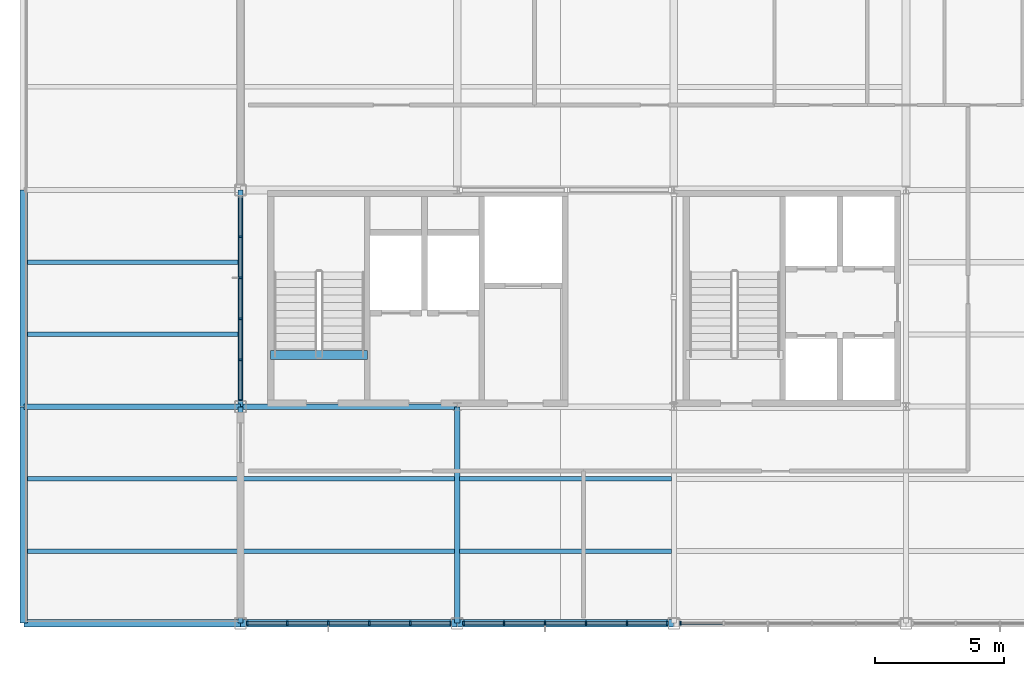
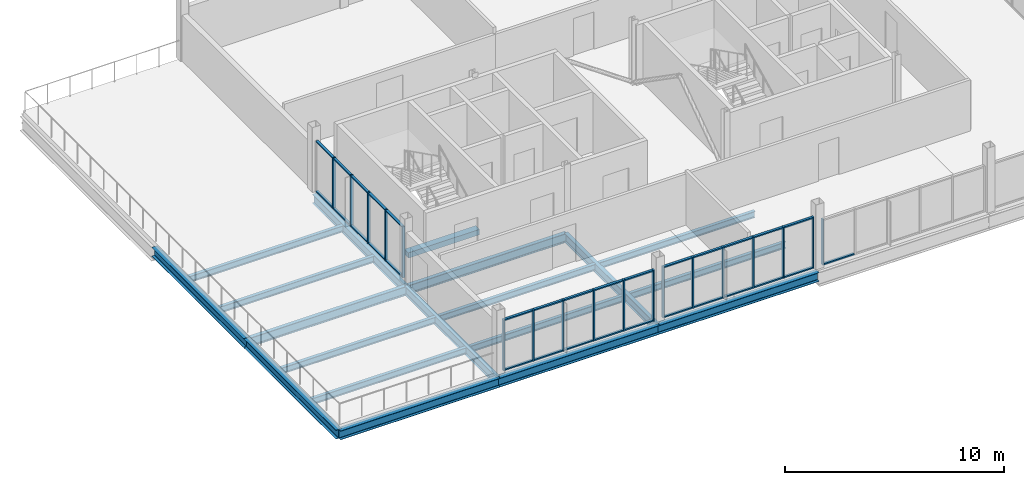
# One storey, part 3 of 14: 49 members, 19 beams, 4 elements without a shape of their own.
"""IFC4 building model written with IfcOpenShell, lengths in metres."""

import ifcopenshell
import ifcopenshell.guid

model = None  # the IFC model being written
_history = None  # IfcOwnerHistory: only IFC2X3 demands one
_inside = {}  # id of a spatial element -> (the spatial element, [elements in it])
_under = {}  # id of a project, library or spatial element -> (it, [spatial elements below it])
_declared = {}  # id of a project -> (the project, [libraries it declares])
_typed = {}  # id of a type object -> (the type object, [elements of that type])
_made_of = {}  # id of a material, layer set ... -> (it, [elements and type objects made of it])


def new_model(schema):
    """Start an empty IFC model of exactly this schema.

    Asked for "IFC4X3", IfcOpenShell would pick the latest addendum, in which some entities
    have other attributes; the version numbers below select the first issue.
    IFC2X3 requires an IfcOwnerHistory on every rooted entity: one is made here for all.
    """
    global model, _history
    if schema == "IFC4X3":
        model = ifcopenshell.file(schema_version=(4, 3, 0, 0))
    else:
        model = ifcopenshell.file(schema=schema)
    _inside.clear()
    _under.clear()
    _declared.clear()
    _typed.clear()
    _made_of.clear()
    _history = None
    if model.schema == "IFC2X3":
        org = make("IfcOrganization", Name="unknown")
        user = make(
            "IfcPersonAndOrganization",
            ThePerson=make("IfcPerson", FamilyName="unknown"),
            TheOrganization=org,
        )
        app = make(
            "IfcApplication",
            ApplicationDeveloper=org,
            Version="unknown",
            ApplicationFullName="unknown",
            ApplicationIdentifier="unknown",
        )
        _history = make(
            "IfcOwnerHistory",
            OwningUser=user,
            OwningApplication=app,
            ChangeAction="ADDED",
            CreationDate=0,
        )
    return model


def make(cls, **values):
    """One entity of the class cls with the attributes given. An attribute that is None is left unset."""
    return model.create_entity(
        cls, **{name: value for name, value in values.items() if value is not None}
    )


def rooted(cls, **values):
    """An entity with a GlobalId (a new one), such as an element, a storey or a relation."""
    return make(cls, GlobalId=ifcopenshell.guid.new(), OwnerHistory=_history, **values)


def si_unit(unit_type, name, prefix=None):
    """IfcSIUnit, for example si_unit("LENGTHUNIT", "METRE", prefix="MILLI")."""
    return make("IfcSIUnit", UnitType=unit_type, Prefix=prefix, Name=name)


def assignment(units):
    """IfcUnitAssignment: the units of a project."""
    return None if units is None else make("IfcUnitAssignment", Units=units)


def point(xyz):
    """IfcCartesianPoint."""
    return None if xyz is None else make("IfcCartesianPoint", Coordinates=xyz)


def direction(xyz):
    """IfcDirection."""
    return None if xyz is None else make("IfcDirection", DirectionRatios=xyz)


def frame(location, z_axis=None, x_axis=None):
    """IfcAxis2Placement3D, a coordinate frame: its origin and axes. An axis left out is left unset."""
    return make(
        "IfcAxis2Placement3D",
        Location=point(location),
        Axis=direction(z_axis),
        RefDirection=direction(x_axis),
    )


def frame_2d(location, x_axis=None):
    """IfcAxis2Placement2D, a coordinate frame in the plane: its origin and x axis."""
    return make(
        "IfcAxis2Placement2D", Location=point(location), RefDirection=direction(x_axis)
    )


def origin():
    """The frame at (0, 0, 0) with its axes left unset."""
    return frame((0.0, 0.0, 0.0))


def origin_2d():
    """The frame at (0, 0) in the plane with its x axis left unset."""
    return frame_2d((0.0, 0.0))


def place(relative_to, where):
    """IfcLocalPlacement: puts the frame where relative to a parent placement (None: the world)."""
    return make(
        "IfcLocalPlacement", PlacementRelTo=relative_to, RelativePlacement=where
    )


def context(
    kind, dimensions, precision=None, world=None, true_north=None, identifier=None
):
    """IfcGeometricRepresentationContext, for example the 3D "Model" context."""
    return make(
        "IfcGeometricRepresentationContext",
        ContextIdentifier=identifier,
        ContextType=kind,
        CoordinateSpaceDimension=dimensions,
        Precision=precision,
        WorldCoordinateSystem=world,
        TrueNorth=true_north,
    )


def subcontext(parent, identifier, kind, view, scale=None):
    """IfcGeometricRepresentationSubContext, for example "Body" below "Model"."""
    return make(
        "IfcGeometricRepresentationSubContext",
        ContextIdentifier=identifier,
        ContextType=kind,
        ParentContext=parent,
        TargetScale=scale,
        TargetView=view,
    )


def project(units=None, contexts=None):
    """IfcProject with its units and contexts."""
    return rooted(
        "IfcProject",
        Name="project",
        RepresentationContexts=contexts,
        UnitsInContext=assignment(units),
    )


def spatial(cls, under=None, at=None, **own):
    """A site, building, storey or space (cls), placed at a placement, below another one or the project."""
    s = rooted(cls, ObjectPlacement=at, **own)
    if under is not None:
        _under.setdefault(under.id(), (under, []))[1].append(s)
    return s


def profile(cls, at=None, kind="AREA", **sizes):
    """A parametric profile (cls). Its sizes go by their IFC names, for example OverallWidth=200.0."""
    return make(cls, ProfileType=kind, Position=at, **sizes)


def rectangle(**sizes):
    """IfcRectangleProfileDef."""
    return profile("IfcRectangleProfileDef", **sizes)


def i_section(**sizes):
    """IfcIShapeProfileDef."""
    return profile("IfcIShapeProfileDef", **sizes)


def extrude(swept, where, along, depth):
    """IfcExtrudedAreaSolid: the profile swept, set in the frame where, extruded along a direction by depth."""
    return make(
        "IfcExtrudedAreaSolid",
        SweptArea=swept,
        Position=where,
        ExtrudedDirection=direction(along),
        Depth=depth,
    )


def shape(context_of_items, identifier, shape_type, items):
    """IfcShapeRepresentation: the items that make up one representation, for example the "Body"."""
    return make(
        "IfcShapeRepresentation",
        ContextOfItems=context_of_items,
        RepresentationIdentifier=identifier,
        RepresentationType=shape_type,
        Items=items,
    )


def material(Name=None, Category=None):
    """IfcMaterial."""
    return make("IfcMaterial", Name=Name, Category=Category)


def layer(
    of_material, thickness, ventilated=None, Name=None, Category=None, Priority=None
):
    """IfcMaterialLayer: one layer of a wall or slab, of a material (None: an air gap)."""
    return make(
        "IfcMaterialLayer",
        Material=of_material,
        LayerThickness=thickness,
        IsVentilated=ventilated,
        Name=Name,
        Category=Category,
        Priority=Priority,
    )


def layer_set(layers, Name=None):
    """IfcMaterialLayerSet."""
    return make("IfcMaterialLayerSet", MaterialLayers=layers, LayerSetName=Name)


def material_profile(
    of_material, cross_section, Name=None, Category=None, Priority=None
):
    """IfcMaterialProfile: a cross section and its material."""
    return make(
        "IfcMaterialProfile",
        Name=Name,
        Material=of_material,
        Profile=cross_section,
        Priority=Priority,
        Category=Category,
    )


def profile_set(profiles, Name=None, composite=None):
    """IfcMaterialProfileSet."""
    return make(
        "IfcMaterialProfileSet",
        Name=Name,
        MaterialProfiles=profiles,
        CompositeProfile=composite,
    )


def made_of(thing, what):
    """Note that an element or type object is made of a material, layer set ...; save() writes the relation."""
    if what is not None:
        _made_of.setdefault(what.id(), (what, []))[1].append(thing)
    return thing


def type_object(cls, material=None, **own):
    """A type object (cls), such as IfcWallType, which elements share."""
    return made_of(rooted(cls, **own), material)


def element(
    cls,
    number,
    at=None,
    inside=None,
    cuts=None,
    type_object=None,
    material=None,
    context=None,
    identifier="Body",
    shape_type=None,
    held_by="IfcProductDefinitionShape",
    body=None,
    shapes=None,
    **own,
):
    """One element of the class cls, such as IfcWall. Its Tag is "e" and its number.

    at: its placement. inside: the storey or other place that contains it. cuts: it is an
    opening in that element (IfcRelVoidsElement). A single representation is given by context,
    identifier, shape_type and body (its items); several are given by shapes. held_by: the class
    of the entity that holds the representations. save() writes the other relations.
    """
    e = rooted(cls, Tag="e%d" % number, ObjectPlacement=at, **own)
    if body is not None:
        shapes = [shape(context, identifier, shape_type, body)]
    if shapes is not None:
        e.Representation = make(held_by, Representations=shapes)
    if inside is not None:
        _inside.setdefault(inside.id(), (inside, []))[1].append(e)
    if cuts is not None:
        rooted(
            "IfcRelVoidsElement", RelatingBuildingElement=cuts, RelatedOpeningElement=e
        )
    if type_object is not None:
        _typed.setdefault(type_object.id(), (type_object, []))[1].append(e)
    return made_of(e, material)


def aggregate(whole, parts):
    """IfcRelAggregates: a whole, such as a stair, and the parts it consists of."""
    return rooted("IfcRelAggregates", RelatingObject=whole, RelatedObjects=parts)


def save(model, path):
    """Write the relations noted so far, then the file.

    IfcRelAggregates (storeys below a building ...), IfcRelContainedInSpatialStructure (elements
    in a storey), IfcRelDefinesByType, IfcRelAssociatesMaterial and IfcRelDeclares: one each for
    every whole, place, type object, material and project.
    """
    for whole, parts in _under.values():
        aggregate(whole, parts)
    for where, things in _inside.values():
        rooted(
            "IfcRelContainedInSpatialStructure",
            RelatedElements=things,
            RelatingStructure=where,
        )
    for kind, things in _typed.values():
        rooted("IfcRelDefinesByType", RelatedObjects=things, RelatingType=kind)
    for what, things in _made_of.values():
        rooted("IfcRelAssociatesMaterial", RelatedObjects=things, RelatingMaterial=what)
    for by, libraries in _declared.values():
        rooted("IfcRelDeclares", RelatingContext=by, RelatedDefinitions=libraries)
    model.write(path)


model = new_model("IFC4")

# Units and contexts
model_context = context("Model", 3, precision=1e-05, world=origin(), true_north=direction((0.0, 1.0)))
body_context = subcontext(model_context, "Body", "Model", "MODEL_VIEW")
ifc_project = project(units=[si_unit("LENGTHUNIT", "METRE"), si_unit("AREAUNIT", "SQUARE_METRE"), si_unit("VOLUMEUNIT", "CUBIC_METRE"), si_unit("PLANEANGLEUNIT", "RADIAN"), si_unit("MASSUNIT", "GRAM", prefix="KILO")], contexts=[model_context])

# Site, building, storey
site_placement = place(None, origin())
site = spatial("IfcSite", under=ifc_project, at=site_placement, CompositionType="ELEMENT")
building_placement = place(site_placement, origin())
building = spatial("IfcBuilding", under=site, at=building_placement, Name="Yukiwa Park Conservatory and Herbarium", CompositionType="ELEMENT")
storey_placement = place(building_placement, frame((0.0, 0.0, 50.39990234375)))
storey = spatial("IfcBuildingStorey", under=building, at=storey_placement, Name="L13", CompositionType="ELEMENT", Elevation=50.39990234375)

# Beams
ifc_material_1 = material(Name="Steel Q355D", Category="steel")
ifc_material_profile_1 = material_profile(ifc_material_1, i_section(OverallWidth=0.199951171875, OverallDepth=0.5, WebThickness=0.010009765625, FlangeThickness=0.01611328125, FilletRadius=0.02001953125, at=origin_2d()), Name="HN 500x200x10x16")
ifc_profile_set_1 = profile_set([ifc_material_profile_1], Name="Steel Q355D")
beam_type_1 = type_object("IfcBeamType", Name="BM-GRD-HN500", PredefinedType="BEAM", material=ifc_profile_set_1)
beam_1_placement = place(storey_placement, frame((124.805908203125, 94.800048828125, -0.511962890625), z_axis=(1.0, 0.0, 0.0), x_axis=(0.0, 1.0, 0.0)))
element("IfcBeam", 1, at=beam_1_placement, inside=storey, type_object=beam_type_1, Name="L13 grid beam X-6", PredefinedType="BEAM", context=body_context, shape_type="SweptSolid", body=[
    extrude(i_section(OverallWidth=0.199951171875, OverallDepth=0.5, WebThickness=0.010009765625, FlangeThickness=0.01611328125, FilletRadius=0.02001953125, at=origin_2d()), origin(), (0.0, 0.0, 1.0), 8.38818359375),
])
for number, where, z_axis, x_axis, name in (
    (2, (133.2060546875, 94.800048828125, -0.511962890625), (1.0, 0.0, 0.0), (0.0, 1.0, 0.0), "L13 grid beam X-7"),
    (3, (133.199951171875, 86.406005859375, -0.511962890625), (0.0, 1.0, 0.0), (-1.0, 0.0, 0.0), "L13 grid girder Y-24"),
):
    element("IfcBeam", number, at=place(storey_placement, frame(where, z_axis=z_axis, x_axis=x_axis)), inside=storey, type_object=beam_type_1, Name=name, PredefinedType="BEAM", context=body_context, shape_type="SweptSolid", body=[
        extrude(i_section(OverallWidth=0.199951171875, OverallDepth=0.5, WebThickness=0.010009765625, FlangeThickness=0.01611328125, FilletRadius=0.02001953125, at=origin_2d()), origin(), (0.0, 0.0, 1.0), 8.387939453125),
    ])
beam_2_placement = place(storey_placement, frame((133.199951171875, 94.805908203125, -0.511962890625), z_axis=(0.0, 1.0, 0.0), x_axis=(-1.0, 0.0, 0.0)))
element("IfcBeam", 4, at=beam_2_placement, inside=storey, type_object=beam_type_1, Name="L13 grid girder Y-25", PredefinedType="BEAM", context=body_context, shape_type="SweptSolid", body=[
    extrude(i_section(OverallWidth=0.199951171875, OverallDepth=0.5, WebThickness=0.010009765625, FlangeThickness=0.01611328125, FilletRadius=0.02001953125, at=origin_2d()), origin(), (0.0, 0.0, 1.0), 8.38818359375),
])
beam_3_placement = place(storey_placement, frame((141.60009765625, 86.406005859375, -0.511962890625), z_axis=(0.0, 1.0, 0.0), x_axis=(-1.0, 0.0, 0.0)))
element("IfcBeam", 5, at=beam_3_placement, inside=storey, type_object=beam_type_1, Name="L13 grid girder Y-27", PredefinedType="BEAM", context=body_context, shape_type="SweptSolid", body=[
    extrude(i_section(OverallWidth=0.199951171875, OverallDepth=0.5, WebThickness=0.010009765625, FlangeThickness=0.01611328125, FilletRadius=0.02001953125, at=origin_2d()), origin(), (0.0, 0.0, 1.0), 8.387939453125),
])
ifc_material_2 = material(Name="Steel Q355D", Category="steel")
ifc_material_profile_2 = material_profile(ifc_material_2, i_section(OverallWidth=0.175048828125, OverallDepth=0.35009765625, WebThickness=0.007080078125, FlangeThickness=0.010986328125, FilletRadius=0.013916015625, at=origin_2d()), Name="HN 350x175x7x11")
ifc_profile_set_2 = profile_set([ifc_material_profile_2], Name="Steel Q355D")
beam_type_2 = type_object("IfcBeamType", Name="BM-JST-HN350", PredefinedType="JOIST", material=ifc_profile_set_2)
for number, where, z_axis, x_axis, name in (
    (6, (124.946044921875, 89.199951171875, -0.43701171875), (1.0, 0.0, 0.0), (0.0, 1.0, 0.0), "L13 composite floor joist 1"),
    (7, (124.946044921875, 92.0, -0.43701171875), (1.0, 0.0, 0.0), (0.0, 1.0, 0.0), "L13 composite floor joist 2"),
    (8, (124.946044921875, 97.60009765625, -0.43701171875), (1.0, 0.0, 0.0), (0.0, 1.0, 0.0), "L13 composite floor joist 3"),
    (9, (124.946044921875, 100.39990234375, -0.43701171875), (1.0, 0.0, 0.0), (0.0, 1.0, 0.0), "L13 composite floor joist 4"),
):
    element("IfcBeam", number, at=place(storey_placement, frame(where, z_axis=z_axis, x_axis=x_axis)), inside=storey, type_object=beam_type_2, Name=name, PredefinedType="JOIST", context=body_context, shape_type="SweptSolid", body=[
        extrude(i_section(OverallWidth=0.175048828125, OverallDepth=0.35009765625, WebThickness=0.007080078125, FlangeThickness=0.010986328125, FilletRadius=0.013916015625, at=origin_2d()), origin(), (0.0, 0.0, 1.0), 8.157958984375),
    ])
for number, where, z_axis, x_axis, name in (
    (10, (133.2958984375, 89.199951171875, -0.43701171875), (1.0, 0.0, 0.0), (0.0, 1.0, 0.0), "L13 composite floor joist 7"),
    (11, (133.2958984375, 92.0, -0.43701171875), (1.0, 0.0, 0.0), (0.0, 1.0, 0.0), "L13 composite floor joist 8"),
    (12, (141.696044921875, 89.199951171875, -0.43701171875), (1.0, 0.0, 0.0), (0.0, 1.0, 0.0), "L13 composite floor joist 11"),
    (13, (141.696044921875, 92.0, -0.43701171875), (1.0, 0.0, 0.0), (0.0, 1.0, 0.0), "L13 composite floor joist 12"),
):
    element("IfcBeam", number, at=place(storey_placement, frame(where, z_axis=z_axis, x_axis=x_axis)), inside=storey, type_object=beam_type_2, Name=name, PredefinedType="JOIST", context=body_context, shape_type="SweptSolid", body=[
        extrude(i_section(OverallWidth=0.175048828125, OverallDepth=0.35009765625, WebThickness=0.007080078125, FlangeThickness=0.010986328125, FilletRadius=0.013916015625, at=origin_2d()), origin(), (0.0, 0.0, 1.0), 8.2080078125),
    ])
ifc_material_3 = material(Name="Steel Q355D", Category="steel")
ifc_material_profile_3 = material_profile(ifc_material_3, i_section(OverallWidth=0.300048828125, OverallDepth=0.5, WebThickness=0.010986328125, FlangeThickness=0.01806640625, FilletRadius=0.02392578125, at=origin_2d()), Name="HM 500x300x11x18")
ifc_profile_set_3 = profile_set([ifc_material_profile_3], Name="Steel Q355D")
beam_type_3 = type_object("IfcBeamType", Name="BM-SPN-HN500", PredefinedType="SPANDREL", material=ifc_profile_set_3)
beam_4_placement = place(storey_placement, frame((124.805908203125, 86.39990234375, -0.511962890625), z_axis=(1.0, 0.0, 0.0), x_axis=(0.0, 1.0, 0.0)))
element("IfcBeam", 14, at=beam_4_placement, inside=storey, type_object=beam_type_3, Name="L13 spandrel beam X-1", PredefinedType="SPANDREL", context=body_context, shape_type="SweptSolid", body=[
    extrude(i_section(OverallWidth=0.300048828125, OverallDepth=0.5, WebThickness=0.010986328125, FlangeThickness=0.01806640625, FilletRadius=0.02392578125, at=origin_2d()), origin(), (0.0, 0.0, 1.0), 8.38818359375),
])
for number, where, z_axis, x_axis, name in (
    (15, (133.2060546875, 86.39990234375, -0.511962890625), (1.0, 0.0, 0.0), (0.0, 1.0, 0.0), "L13 spandrel beam X-2"),
    (16, (141.60595703125, 86.39990234375, -0.511962890625), (1.0, 0.0, 0.0), (0.0, 1.0, 0.0), "L13 spandrel beam X-3"),
    (17, (124.800048828125, 86.406005859375, -0.510009765625), (0.0, 1.0, 0.0), (-1.0, 0.0, 0.0), "L13 spandrel girder Y-21"),
):
    element("IfcBeam", number, at=place(storey_placement, frame(where, z_axis=z_axis, x_axis=x_axis)), inside=storey, type_object=beam_type_3, Name=name, PredefinedType="SPANDREL", context=body_context, shape_type="SweptSolid", body=[
        extrude(i_section(OverallWidth=0.300048828125, OverallDepth=0.5, WebThickness=0.010986328125, FlangeThickness=0.01806640625, FilletRadius=0.02392578125, at=origin_2d()), origin(), (0.0, 0.0, 1.0), 8.387939453125),
    ])
beam_5_placement = place(storey_placement, frame((124.800048828125, 94.805908203125, -0.510009765625), z_axis=(0.0, 1.0, 0.0), x_axis=(-1.0, 0.0, 0.0)))
element("IfcBeam", 18, at=beam_5_placement, inside=storey, type_object=beam_type_3, Name="L13 spandrel girder Y-22", PredefinedType="SPANDREL", context=body_context, shape_type="SweptSolid", body=[
    extrude(i_section(OverallWidth=0.300048828125, OverallDepth=0.5, WebThickness=0.010986328125, FlangeThickness=0.01806640625, FilletRadius=0.02392578125, at=origin_2d()), origin(), (0.0, 0.0, 1.0), 8.38818359375),
])
ifc_material_4 = material(Name="Concrete C40", Category="concrete")
ifc_material_profile_4 = material_profile(ifc_material_4, rectangle(XDim=0.35009765625, YDim=0.300048828125, at=origin_2d()), Name="RC 350x300")
ifc_profile_set_4 = profile_set([ifc_material_profile_4], Name="Concrete C40")
beam_type_4 = type_object("IfcBeamType", Name="BM-STAIR-TRIM", PredefinedType="BEAM", material=ifc_profile_set_4)
beam_6_placement = place(storey_placement, frame((134.3701171875, 96.81005859375, -0.14990234375), z_axis=(1.0, 0.0, 0.0), x_axis=(0.0, 1.0, 0.0)))
element("IfcBeam", 19, at=beam_6_placement, inside=storey, type_object=beam_type_4, Name="Stair ST-T1 L13 landing trimmer beam", PredefinedType="BEAM", context=body_context, shape_type="SweptSolid", body=[
    extrude(rectangle(XDim=0.35009765625, YDim=0.300048828125, at=origin_2d()), origin(), (0.0, 0.0, 1.0), 3.75),
])

# Curtain wall, members
ifc_material_5 = material(Name="Triple Low-E Insulated Glass", Category="glass")
ifc_layer = layer(ifc_material_5, 0.27197265625)
ifc_layer_set = layer_set([ifc_layer], Name="Triple Low-E Insulated Glass")
curtain_wall_type = type_object("IfcCurtainWallType", Name="CW-TOWER-LIB-1600", PredefinedType="NOTDEFINED", material=ifc_layer_set)
curtain_wall_1_placement = place(storey_placement, origin())
curtain_wall_1 = element("IfcCurtainWall", 20, at=curtain_wall_1_placement, inside=storey, type_object=curtain_wall_type, Name="L13 unitised curtain wall CW-L13-128", PredefinedType="NOTDEFINED")
ifc_material_6 = material(Name="Anodised Aluminium", Category="aluminium")
member_type_1 = type_object("IfcMemberType", Name="MB-CW-MUL-70X150", PredefinedType="MULLION", material=ifc_material_6)
member_1_placement = place(storey_placement, frame((133.199951171875, 101.385009765625, 0.0), z_axis=(0.0, 0.0, 1.0), x_axis=(0.0, -1.0, 0.0)))
member_1 = element("IfcMember", 21, at=member_1_placement, type_object=member_type_1, Name="CW-L13-128 mullion 2", PredefinedType="MULLION", context=body_context, shape_type="SweptSolid", body=[
    extrude(rectangle(XDim=0.070068359375, YDim=0.14990234375, at=origin_2d()), origin(), (0.0, 0.0, 1.0), 2.845947265625),
])
member_2_placement = place(storey_placement, frame((133.199951171875, 99.794921875, 0.0), z_axis=(0.0, 0.0, 1.0), x_axis=(0.0, -1.0, 0.0)))
member_2 = element("IfcMember", 22, at=member_2_placement, type_object=member_type_1, Name="CW-L13-128 mullion 3", PredefinedType="MULLION", context=body_context, shape_type="SweptSolid", body=[
    extrude(rectangle(XDim=0.070068359375, YDim=0.14990234375, at=origin_2d()), origin(), (0.0, 0.0, 1.0), 2.845947265625),
])
member_3_placement = place(storey_placement, frame((133.199951171875, 98.205078125, 0.0), z_axis=(0.0, 0.0, 1.0), x_axis=(0.0, -1.0, 0.0)))
member_3 = element("IfcMember", 23, at=member_3_placement, type_object=member_type_1, Name="CW-L13-128 mullion 4", PredefinedType="MULLION", context=body_context, shape_type="SweptSolid", body=[
    extrude(rectangle(XDim=0.070068359375, YDim=0.14990234375, at=origin_2d()), origin(), (0.0, 0.0, 1.0), 2.845947265625),
])
member_4_placement = place(storey_placement, frame((133.199951171875, 96.614990234375, 0.0), z_axis=(0.0, 0.0, 1.0), x_axis=(0.0, -1.0, 0.0)))
member_4 = element("IfcMember", 24, at=member_4_placement, type_object=member_type_1, Name="CW-L13-128 mullion 5", PredefinedType="MULLION", context=body_context, shape_type="SweptSolid", body=[
    extrude(rectangle(XDim=0.070068359375, YDim=0.14990234375, at=origin_2d()), origin(), (0.0, 0.0, 1.0), 2.845947265625),
])
member_5_placement = place(storey_placement, frame((133.199951171875, 95.06005859375, 0.0), z_axis=(0.0, 0.0, 1.0), x_axis=(0.0, -1.0, 0.0)))
member_5 = element("IfcMember", 25, at=member_5_placement, type_object=member_type_1, Name="CW-L13-128 mullion 6", PredefinedType="MULLION", context=body_context, shape_type="SweptSolid", body=[
    extrude(rectangle(XDim=0.070068359375, YDim=0.14990234375, at=origin_2d()), origin(), (0.0, 0.0, 1.0), 2.845947265625),
])

curtain_wall_2_placement = place(storey_placement, origin())
curtain_wall_2 = element("IfcCurtainWall", 26, at=curtain_wall_2_placement, inside=storey, type_object=curtain_wall_type, Name="L13 unitised curtain wall CW-L13-129", PredefinedType="NOTDEFINED")
member_6_placement = place(storey_placement, frame((133.4599609375, 86.39990234375, 0.0), z_axis=(0.0, 0.0, 1.0), x_axis=(1.0, 0.0, 0.0)))
member_6 = element("IfcMember", 27, at=member_6_placement, type_object=member_type_1, Name="CW-L13-129 mullion 1", PredefinedType="MULLION", context=body_context, shape_type="SweptSolid", body=[
    extrude(rectangle(XDim=0.070068359375, YDim=0.14990234375, at=origin_2d()), origin(), (0.0, 0.0, 1.0), 2.845947265625),
])
member_7_placement = place(storey_placement, frame((135.014892578125, 86.39990234375, 0.0), z_axis=(0.0, 0.0, 1.0), x_axis=(1.0, 0.0, 0.0)))
member_7 = element("IfcMember", 28, at=member_7_placement, type_object=member_type_1, Name="CW-L13-129 mullion 2", PredefinedType="MULLION", context=body_context, shape_type="SweptSolid", body=[
    extrude(rectangle(XDim=0.070068359375, YDim=0.14990234375, at=origin_2d()), origin(), (0.0, 0.0, 1.0), 2.845947265625),
])
member_8_placement = place(storey_placement, frame((136.60498046875, 86.39990234375, 0.0), z_axis=(0.0, 0.0, 1.0), x_axis=(1.0, 0.0, 0.0)))
member_8 = element("IfcMember", 29, at=member_8_placement, type_object=member_type_1, Name="CW-L13-129 mullion 3", PredefinedType="MULLION", context=body_context, shape_type="SweptSolid", body=[
    extrude(rectangle(XDim=0.070068359375, YDim=0.14990234375, at=origin_2d()), origin(), (0.0, 0.0, 1.0), 2.845947265625),
])
member_9_placement = place(storey_placement, frame((138.195068359375, 86.39990234375, 0.0), z_axis=(0.0, 0.0, 1.0), x_axis=(1.0, 0.0, 0.0)))
member_9 = element("IfcMember", 30, at=member_9_placement, type_object=member_type_1, Name="CW-L13-129 mullion 4", PredefinedType="MULLION", context=body_context, shape_type="SweptSolid", body=[
    extrude(rectangle(XDim=0.070068359375, YDim=0.14990234375, at=origin_2d()), origin(), (0.0, 0.0, 1.0), 2.845947265625),
])
member_10_placement = place(storey_placement, frame((139.784912109375, 86.39990234375, 0.0), z_axis=(0.0, 0.0, 1.0), x_axis=(1.0, 0.0, 0.0)))
member_10 = element("IfcMember", 31, at=member_10_placement, type_object=member_type_1, Name="CW-L13-129 mullion 5", PredefinedType="MULLION", context=body_context, shape_type="SweptSolid", body=[
    extrude(rectangle(XDim=0.070068359375, YDim=0.14990234375, at=origin_2d()), origin(), (0.0, 0.0, 1.0), 2.845947265625),
])
member_11_placement = place(storey_placement, frame((141.340087890625, 86.39990234375, 0.0), z_axis=(0.0, 0.0, 1.0), x_axis=(1.0, 0.0, 0.0)))
member_11 = element("IfcMember", 32, at=member_11_placement, type_object=member_type_1, Name="CW-L13-129 mullion 6", PredefinedType="MULLION", context=body_context, shape_type="SweptSolid", body=[
    extrude(rectangle(XDim=0.070068359375, YDim=0.14990234375, at=origin_2d()), origin(), (0.0, 0.0, 1.0), 2.845947265625),
])

curtain_wall_3_placement = place(storey_placement, origin())
curtain_wall_3 = element("IfcCurtainWall", 33, at=curtain_wall_3_placement, inside=storey, type_object=curtain_wall_type, Name="L13 unitised curtain wall CW-L13-130", PredefinedType="NOTDEFINED")
member_12_placement = place(storey_placement, frame((141.860107421875, 86.39990234375, 0.0), z_axis=(0.0, 0.0, 1.0), x_axis=(1.0, 0.0, 0.0)))
member_12 = element("IfcMember", 34, at=member_12_placement, type_object=member_type_1, Name="CW-L13-130 mullion 1", PredefinedType="MULLION", context=body_context, shape_type="SweptSolid", body=[
    extrude(rectangle(XDim=0.070068359375, YDim=0.14990234375, at=origin_2d()), origin(), (0.0, 0.0, 1.0), 2.845947265625),
])
member_13_placement = place(storey_placement, frame((143.4150390625, 86.39990234375, 0.0), z_axis=(0.0, 0.0, 1.0), x_axis=(1.0, 0.0, 0.0)))
member_13 = element("IfcMember", 35, at=member_13_placement, type_object=member_type_1, Name="CW-L13-130 mullion 2", PredefinedType="MULLION", context=body_context, shape_type="SweptSolid", body=[
    extrude(rectangle(XDim=0.070068359375, YDim=0.14990234375, at=origin_2d()), origin(), (0.0, 0.0, 1.0), 2.845947265625),
])
member_14_placement = place(storey_placement, frame((145.0048828125, 86.39990234375, 0.0), z_axis=(0.0, 0.0, 1.0), x_axis=(1.0, 0.0, 0.0)))
member_14 = element("IfcMember", 36, at=member_14_placement, type_object=member_type_1, Name="CW-L13-130 mullion 3", PredefinedType="MULLION", context=body_context, shape_type="SweptSolid", body=[
    extrude(rectangle(XDim=0.070068359375, YDim=0.14990234375, at=origin_2d()), origin(), (0.0, 0.0, 1.0), 2.845947265625),
])
member_15_placement = place(storey_placement, frame((146.594970703125, 86.39990234375, 0.0), z_axis=(0.0, 0.0, 1.0), x_axis=(1.0, 0.0, 0.0)))
member_15 = element("IfcMember", 37, at=member_15_placement, type_object=member_type_1, Name="CW-L13-130 mullion 4", PredefinedType="MULLION", context=body_context, shape_type="SweptSolid", body=[
    extrude(rectangle(XDim=0.070068359375, YDim=0.14990234375, at=origin_2d()), origin(), (0.0, 0.0, 1.0), 2.845947265625),
])
member_16_placement = place(storey_placement, frame((148.18505859375, 86.39990234375, 0.0), z_axis=(0.0, 0.0, 1.0), x_axis=(1.0, 0.0, 0.0)))
member_16 = element("IfcMember", 38, at=member_16_placement, type_object=member_type_1, Name="CW-L13-130 mullion 5", PredefinedType="MULLION", context=body_context, shape_type="SweptSolid", body=[
    extrude(rectangle(XDim=0.070068359375, YDim=0.14990234375, at=origin_2d()), origin(), (0.0, 0.0, 1.0), 2.845947265625),
])
member_17_placement = place(storey_placement, frame((149.739990234375, 86.39990234375, 0.0), z_axis=(0.0, 0.0, 1.0), x_axis=(1.0, 0.0, 0.0)))
member_17 = element("IfcMember", 39, at=member_17_placement, type_object=member_type_1, Name="CW-L13-130 mullion 6", PredefinedType="MULLION", context=body_context, shape_type="SweptSolid", body=[
    extrude(rectangle(XDim=0.070068359375, YDim=0.14990234375, at=origin_2d()), origin(), (0.0, 0.0, 1.0), 2.845947265625),
])

# Curtain wall, member
curtain_wall_4_placement = place(storey_placement, origin())
curtain_wall_4 = element("IfcCurtainWall", 40, at=curtain_wall_4_placement, inside=storey, type_object=curtain_wall_type, Name="L13 unitised curtain wall CW-L13-131", PredefinedType="NOTDEFINED")
member_18_placement = place(storey_placement, frame((150.260009765625, 86.39990234375, 0.0), z_axis=(0.0, 0.0, 1.0), x_axis=(1.0, 0.0, 0.0)))
member_18 = element("IfcMember", 41, at=member_18_placement, type_object=member_type_1, Name="CW-L13-131 mullion 1", PredefinedType="MULLION", context=body_context, shape_type="SweptSolid", body=[
    extrude(rectangle(XDim=0.070068359375, YDim=0.14990234375, at=origin_2d()), origin(), (0.0, 0.0, 1.0), 2.553955078125),
])

# Member
ifc_material_7 = material(Name="Anodised Aluminium", Category="aluminium")
member_type_2 = type_object("IfcMemberType", Name="MB-CW-TRN-70X130", PredefinedType="USERDEFINED", material=ifc_material_7)
member_19_placement = place(storey_placement, frame((133.199951171875, 102.179931640625, 0.0), z_axis=(0.0, 0.0, 1.0), x_axis=(0.0, -1.0, 0.0)))
member_19 = element("IfcMember", 42, at=member_19_placement, type_object=member_type_2, Name="CW-L13-128 transom 1.1", ObjectType="TRANSOM", PredefinedType="USERDEFINED", context=body_context, shape_type="SweptSolid", body=[
    extrude(rectangle(XDim=1.52001953125, YDim=0.1298828125, at=origin_2d()), origin(), (0.0, 0.0, 1.0), 0.070068359375),
])

member_20_placement = place(storey_placement, frame((133.199951171875, 102.179931640625, 2.77587890625), z_axis=(0.0, 0.0, 1.0), x_axis=(0.0, -1.0, 0.0)))
member_20 = element("IfcMember", 43, at=member_20_placement, type_object=member_type_2, Name="CW-L13-128 transom 1.2", ObjectType="TRANSOM", PredefinedType="USERDEFINED", context=body_context, shape_type="SweptSolid", body=[
    extrude(rectangle(XDim=1.52001953125, YDim=0.1298828125, at=origin_2d()), origin(), (0.0, 0.0, 1.0), 0.070068359375),
])

member_21_placement = place(storey_placement, frame((133.199951171875, 100.590087890625, 0.0), z_axis=(0.0, 0.0, 1.0), x_axis=(0.0, -1.0, 0.0)))
member_21 = element("IfcMember", 44, at=member_21_placement, type_object=member_type_2, Name="CW-L13-128 transom 2.1", ObjectType="TRANSOM", PredefinedType="USERDEFINED", context=body_context, shape_type="SweptSolid", body=[
    extrude(rectangle(XDim=1.52001953125, YDim=0.1298828125, at=origin_2d()), origin(), (0.0, 0.0, 1.0), 0.070068359375),
])

member_22_placement = place(storey_placement, frame((133.199951171875, 100.590087890625, 2.77587890625), z_axis=(0.0, 0.0, 1.0), x_axis=(0.0, -1.0, 0.0)))
member_22 = element("IfcMember", 45, at=member_22_placement, type_object=member_type_2, Name="CW-L13-128 transom 2.2", ObjectType="TRANSOM", PredefinedType="USERDEFINED", context=body_context, shape_type="SweptSolid", body=[
    extrude(rectangle(XDim=1.52001953125, YDim=0.1298828125, at=origin_2d()), origin(), (0.0, 0.0, 1.0), 0.070068359375),
])

member_23_placement = place(storey_placement, frame((133.199951171875, 99.0, 0.0), z_axis=(0.0, 0.0, 1.0), x_axis=(0.0, -1.0, 0.0)))
member_23 = element("IfcMember", 46, at=member_23_placement, type_object=member_type_2, Name="CW-L13-128 transom 3.1", ObjectType="TRANSOM", PredefinedType="USERDEFINED", context=body_context, shape_type="SweptSolid", body=[
    extrude(rectangle(XDim=1.52001953125, YDim=0.1298828125, at=origin_2d()), origin(), (0.0, 0.0, 1.0), 0.070068359375),
])

member_24_placement = place(storey_placement, frame((133.199951171875, 99.0, 2.77587890625), z_axis=(0.0, 0.0, 1.0), x_axis=(0.0, -1.0, 0.0)))
member_24 = element("IfcMember", 47, at=member_24_placement, type_object=member_type_2, Name="CW-L13-128 transom 3.2", ObjectType="TRANSOM", PredefinedType="USERDEFINED", context=body_context, shape_type="SweptSolid", body=[
    extrude(rectangle(XDim=1.52001953125, YDim=0.1298828125, at=origin_2d()), origin(), (0.0, 0.0, 1.0), 0.070068359375),
])

member_25_placement = place(storey_placement, frame((133.199951171875, 97.409912109375, 0.0), z_axis=(0.0, 0.0, 1.0), x_axis=(0.0, -1.0, 0.0)))
member_25 = element("IfcMember", 48, at=member_25_placement, type_object=member_type_2, Name="CW-L13-128 transom 4.1", ObjectType="TRANSOM", PredefinedType="USERDEFINED", context=body_context, shape_type="SweptSolid", body=[
    extrude(rectangle(XDim=1.52001953125, YDim=0.1298828125, at=origin_2d()), origin(), (0.0, 0.0, 1.0), 0.070068359375),
])

member_26_placement = place(storey_placement, frame((133.199951171875, 97.409912109375, 2.77587890625), z_axis=(0.0, 0.0, 1.0), x_axis=(0.0, -1.0, 0.0)))
member_26 = element("IfcMember", 49, at=member_26_placement, type_object=member_type_2, Name="CW-L13-128 transom 4.2", ObjectType="TRANSOM", PredefinedType="USERDEFINED", context=body_context, shape_type="SweptSolid", body=[
    extrude(rectangle(XDim=1.52001953125, YDim=0.1298828125, at=origin_2d()), origin(), (0.0, 0.0, 1.0), 0.070068359375),
])

member_27_placement = place(storey_placement, frame((133.199951171875, 95.820068359375, 0.0), z_axis=(0.0, 0.0, 1.0), x_axis=(0.0, -1.0, 0.0)))
member_27 = element("IfcMember", 50, at=member_27_placement, type_object=member_type_2, Name="CW-L13-128 transom 5.1", ObjectType="TRANSOM", PredefinedType="USERDEFINED", context=body_context, shape_type="SweptSolid", body=[
    extrude(rectangle(XDim=1.52001953125, YDim=0.1298828125, at=origin_2d()), origin(), (0.0, 0.0, 1.0), 0.070068359375),
])

member_28_placement = place(storey_placement, frame((133.199951171875, 95.820068359375, 2.77587890625), z_axis=(0.0, 0.0, 1.0), x_axis=(0.0, -1.0, 0.0)))
member_28 = element("IfcMember", 51, at=member_28_placement, type_object=member_type_2, Name="CW-L13-128 transom 5.2", ObjectType="TRANSOM", PredefinedType="USERDEFINED", context=body_context, shape_type="SweptSolid", body=[
    extrude(rectangle(XDim=1.52001953125, YDim=0.1298828125, at=origin_2d()), origin(), (0.0, 0.0, 1.0), 0.070068359375),
])

aggregate(curtain_wall_1, [member_1, member_2, member_3, member_4, member_5, member_19, member_20, member_21, member_22, member_23, member_24, member_25, member_26, member_27, member_28])

member_29_placement = place(storey_placement, frame((134.219970703125, 86.39990234375, 0.0), z_axis=(0.0, 0.0, 1.0), x_axis=(1.0, 0.0, 0.0)))
member_29 = element("IfcMember", 52, at=member_29_placement, type_object=member_type_2, Name="CW-L13-129 transom 1.1", ObjectType="TRANSOM", PredefinedType="USERDEFINED", context=body_context, shape_type="SweptSolid", body=[
    extrude(rectangle(XDim=1.52001953125, YDim=0.1298828125, at=origin_2d()), origin(), (0.0, 0.0, 1.0), 0.070068359375),
])

member_30_placement = place(storey_placement, frame((134.219970703125, 86.39990234375, 2.77587890625), z_axis=(0.0, 0.0, 1.0), x_axis=(1.0, 0.0, 0.0)))
member_30 = element("IfcMember", 53, at=member_30_placement, type_object=member_type_2, Name="CW-L13-129 transom 1.2", ObjectType="TRANSOM", PredefinedType="USERDEFINED", context=body_context, shape_type="SweptSolid", body=[
    extrude(rectangle(XDim=1.52001953125, YDim=0.1298828125, at=origin_2d()), origin(), (0.0, 0.0, 1.0), 0.070068359375),
])

member_31_placement = place(storey_placement, frame((135.81005859375, 86.39990234375, 0.0), z_axis=(0.0, 0.0, 1.0), x_axis=(1.0, 0.0, 0.0)))
member_31 = element("IfcMember", 54, at=member_31_placement, type_object=member_type_2, Name="CW-L13-129 transom 2.1", ObjectType="TRANSOM", PredefinedType="USERDEFINED", context=body_context, shape_type="SweptSolid", body=[
    extrude(rectangle(XDim=1.52001953125, YDim=0.1298828125, at=origin_2d()), origin(), (0.0, 0.0, 1.0), 0.070068359375),
])

member_32_placement = place(storey_placement, frame((135.81005859375, 86.39990234375, 2.77587890625), z_axis=(0.0, 0.0, 1.0), x_axis=(1.0, 0.0, 0.0)))
member_32 = element("IfcMember", 55, at=member_32_placement, type_object=member_type_2, Name="CW-L13-129 transom 2.2", ObjectType="TRANSOM", PredefinedType="USERDEFINED", context=body_context, shape_type="SweptSolid", body=[
    extrude(rectangle(XDim=1.52001953125, YDim=0.1298828125, at=origin_2d()), origin(), (0.0, 0.0, 1.0), 0.070068359375),
])

member_33_placement = place(storey_placement, frame((137.39990234375, 86.39990234375, 0.0), z_axis=(0.0, 0.0, 1.0), x_axis=(1.0, 0.0, 0.0)))
member_33 = element("IfcMember", 56, at=member_33_placement, type_object=member_type_2, Name="CW-L13-129 transom 3.1", ObjectType="TRANSOM", PredefinedType="USERDEFINED", context=body_context, shape_type="SweptSolid", body=[
    extrude(rectangle(XDim=1.52001953125, YDim=0.1298828125, at=origin_2d()), origin(), (0.0, 0.0, 1.0), 0.070068359375),
])

member_34_placement = place(storey_placement, frame((137.39990234375, 86.39990234375, 2.77587890625), z_axis=(0.0, 0.0, 1.0), x_axis=(1.0, 0.0, 0.0)))
member_34 = element("IfcMember", 57, at=member_34_placement, type_object=member_type_2, Name="CW-L13-129 transom 3.2", ObjectType="TRANSOM", PredefinedType="USERDEFINED", context=body_context, shape_type="SweptSolid", body=[
    extrude(rectangle(XDim=1.52001953125, YDim=0.1298828125, at=origin_2d()), origin(), (0.0, 0.0, 1.0), 0.070068359375),
])

member_35_placement = place(storey_placement, frame((138.989990234375, 86.39990234375, 0.0), z_axis=(0.0, 0.0, 1.0), x_axis=(1.0, 0.0, 0.0)))
member_35 = element("IfcMember", 58, at=member_35_placement, type_object=member_type_2, Name="CW-L13-129 transom 4.1", ObjectType="TRANSOM", PredefinedType="USERDEFINED", context=body_context, shape_type="SweptSolid", body=[
    extrude(rectangle(XDim=1.52001953125, YDim=0.1298828125, at=origin_2d()), origin(), (0.0, 0.0, 1.0), 0.070068359375),
])

member_36_placement = place(storey_placement, frame((138.989990234375, 86.39990234375, 2.77587890625), z_axis=(0.0, 0.0, 1.0), x_axis=(1.0, 0.0, 0.0)))
member_36 = element("IfcMember", 59, at=member_36_placement, type_object=member_type_2, Name="CW-L13-129 transom 4.2", ObjectType="TRANSOM", PredefinedType="USERDEFINED", context=body_context, shape_type="SweptSolid", body=[
    extrude(rectangle(XDim=1.52001953125, YDim=0.1298828125, at=origin_2d()), origin(), (0.0, 0.0, 1.0), 0.070068359375),
])

member_37_placement = place(storey_placement, frame((140.580078125, 86.39990234375, 0.0), z_axis=(0.0, 0.0, 1.0), x_axis=(1.0, 0.0, 0.0)))
member_37 = element("IfcMember", 60, at=member_37_placement, type_object=member_type_2, Name="CW-L13-129 transom 5.1", ObjectType="TRANSOM", PredefinedType="USERDEFINED", context=body_context, shape_type="SweptSolid", body=[
    extrude(rectangle(XDim=1.52001953125, YDim=0.1298828125, at=origin_2d()), origin(), (0.0, 0.0, 1.0), 0.070068359375),
])

member_38_placement = place(storey_placement, frame((140.580078125, 86.39990234375, 2.77587890625), z_axis=(0.0, 0.0, 1.0), x_axis=(1.0, 0.0, 0.0)))
member_38 = element("IfcMember", 61, at=member_38_placement, type_object=member_type_2, Name="CW-L13-129 transom 5.2", ObjectType="TRANSOM", PredefinedType="USERDEFINED", context=body_context, shape_type="SweptSolid", body=[
    extrude(rectangle(XDim=1.52001953125, YDim=0.1298828125, at=origin_2d()), origin(), (0.0, 0.0, 1.0), 0.070068359375),
])

aggregate(curtain_wall_2, [member_6, member_7, member_8, member_9, member_10, member_11, member_29, member_30, member_31, member_32, member_33, member_34, member_35, member_36, member_37, member_38])

member_39_placement = place(storey_placement, frame((142.6201171875, 86.39990234375, 0.0), z_axis=(0.0, 0.0, 1.0), x_axis=(1.0, 0.0, 0.0)))
member_39 = element("IfcMember", 62, at=member_39_placement, type_object=member_type_2, Name="CW-L13-130 transom 1.1", ObjectType="TRANSOM", PredefinedType="USERDEFINED", context=body_context, shape_type="SweptSolid", body=[
    extrude(rectangle(XDim=1.52001953125, YDim=0.1298828125, at=origin_2d()), origin(), (0.0, 0.0, 1.0), 0.070068359375),
])

member_40_placement = place(storey_placement, frame((142.6201171875, 86.39990234375, 2.77587890625), z_axis=(0.0, 0.0, 1.0), x_axis=(1.0, 0.0, 0.0)))
member_40 = element("IfcMember", 63, at=member_40_placement, type_object=member_type_2, Name="CW-L13-130 transom 1.2", ObjectType="TRANSOM", PredefinedType="USERDEFINED", context=body_context, shape_type="SweptSolid", body=[
    extrude(rectangle(XDim=1.52001953125, YDim=0.1298828125, at=origin_2d()), origin(), (0.0, 0.0, 1.0), 0.070068359375),
])

member_41_placement = place(storey_placement, frame((144.2099609375, 86.39990234375, 0.0), z_axis=(0.0, 0.0, 1.0), x_axis=(1.0, 0.0, 0.0)))
member_41 = element("IfcMember", 64, at=member_41_placement, type_object=member_type_2, Name="CW-L13-130 transom 2.1", ObjectType="TRANSOM", PredefinedType="USERDEFINED", context=body_context, shape_type="SweptSolid", body=[
    extrude(rectangle(XDim=1.52001953125, YDim=0.1298828125, at=origin_2d()), origin(), (0.0, 0.0, 1.0), 0.070068359375),
])

member_42_placement = place(storey_placement, frame((144.2099609375, 86.39990234375, 2.77587890625), z_axis=(0.0, 0.0, 1.0), x_axis=(1.0, 0.0, 0.0)))
member_42 = element("IfcMember", 65, at=member_42_placement, type_object=member_type_2, Name="CW-L13-130 transom 2.2", ObjectType="TRANSOM", PredefinedType="USERDEFINED", context=body_context, shape_type="SweptSolid", body=[
    extrude(rectangle(XDim=1.52001953125, YDim=0.1298828125, at=origin_2d()), origin(), (0.0, 0.0, 1.0), 0.070068359375),
])

member_43_placement = place(storey_placement, frame((145.800048828125, 86.39990234375, 0.0), z_axis=(0.0, 0.0, 1.0), x_axis=(1.0, 0.0, 0.0)))
member_43 = element("IfcMember", 66, at=member_43_placement, type_object=member_type_2, Name="CW-L13-130 transom 3.1", ObjectType="TRANSOM", PredefinedType="USERDEFINED", context=body_context, shape_type="SweptSolid", body=[
    extrude(rectangle(XDim=1.52001953125, YDim=0.1298828125, at=origin_2d()), origin(), (0.0, 0.0, 1.0), 0.070068359375),
])

member_44_placement = place(storey_placement, frame((145.800048828125, 86.39990234375, 2.77587890625), z_axis=(0.0, 0.0, 1.0), x_axis=(1.0, 0.0, 0.0)))
member_44 = element("IfcMember", 67, at=member_44_placement, type_object=member_type_2, Name="CW-L13-130 transom 3.2", ObjectType="TRANSOM", PredefinedType="USERDEFINED", context=body_context, shape_type="SweptSolid", body=[
    extrude(rectangle(XDim=1.52001953125, YDim=0.1298828125, at=origin_2d()), origin(), (0.0, 0.0, 1.0), 0.070068359375),
])

member_45_placement = place(storey_placement, frame((147.389892578125, 86.39990234375, 0.0), z_axis=(0.0, 0.0, 1.0), x_axis=(1.0, 0.0, 0.0)))
member_45 = element("IfcMember", 68, at=member_45_placement, type_object=member_type_2, Name="CW-L13-130 transom 4.1", ObjectType="TRANSOM", PredefinedType="USERDEFINED", context=body_context, shape_type="SweptSolid", body=[
    extrude(rectangle(XDim=1.52001953125, YDim=0.1298828125, at=origin_2d()), origin(), (0.0, 0.0, 1.0), 0.070068359375),
])

member_46_placement = place(storey_placement, frame((147.389892578125, 86.39990234375, 2.77587890625), z_axis=(0.0, 0.0, 1.0), x_axis=(1.0, 0.0, 0.0)))
member_46 = element("IfcMember", 69, at=member_46_placement, type_object=member_type_2, Name="CW-L13-130 transom 4.2", ObjectType="TRANSOM", PredefinedType="USERDEFINED", context=body_context, shape_type="SweptSolid", body=[
    extrude(rectangle(XDim=1.52001953125, YDim=0.1298828125, at=origin_2d()), origin(), (0.0, 0.0, 1.0), 0.070068359375),
])

member_47_placement = place(storey_placement, frame((148.97998046875, 86.39990234375, 0.0), z_axis=(0.0, 0.0, 1.0), x_axis=(1.0, 0.0, 0.0)))
member_47 = element("IfcMember", 70, at=member_47_placement, type_object=member_type_2, Name="CW-L13-130 transom 5.1", ObjectType="TRANSOM", PredefinedType="USERDEFINED", context=body_context, shape_type="SweptSolid", body=[
    extrude(rectangle(XDim=1.52001953125, YDim=0.1298828125, at=origin_2d()), origin(), (0.0, 0.0, 1.0), 0.070068359375),
])

member_48_placement = place(storey_placement, frame((148.97998046875, 86.39990234375, 2.77587890625), z_axis=(0.0, 0.0, 1.0), x_axis=(1.0, 0.0, 0.0)))
member_48 = element("IfcMember", 71, at=member_48_placement, type_object=member_type_2, Name="CW-L13-130 transom 5.2", ObjectType="TRANSOM", PredefinedType="USERDEFINED", context=body_context, shape_type="SweptSolid", body=[
    extrude(rectangle(XDim=1.52001953125, YDim=0.1298828125, at=origin_2d()), origin(), (0.0, 0.0, 1.0), 0.070068359375),
])

aggregate(curtain_wall_3, [member_12, member_13, member_14, member_15, member_16, member_17, member_39, member_40, member_41, member_42, member_43, member_44, member_45, member_46, member_47, member_48])

member_49_placement = place(storey_placement, frame((151.080078125, 86.39990234375, 0.0), z_axis=(0.0, 0.0, 1.0), x_axis=(1.0, 0.0, 0.0)))
member_49 = element("IfcMember", 72, at=member_49_placement, type_object=member_type_2, Name="CW-L13-131 transom 1.1", ObjectType="TRANSOM", PredefinedType="USERDEFINED", context=body_context, shape_type="SweptSolid", body=[
    extrude(rectangle(XDim=1.639892578125, YDim=0.1298828125, at=origin_2d()), origin(), (0.0, 0.0, 1.0), 0.070068359375),
])

aggregate(curtain_wall_4, [member_18, member_49])

save(model, "model.ifc")
